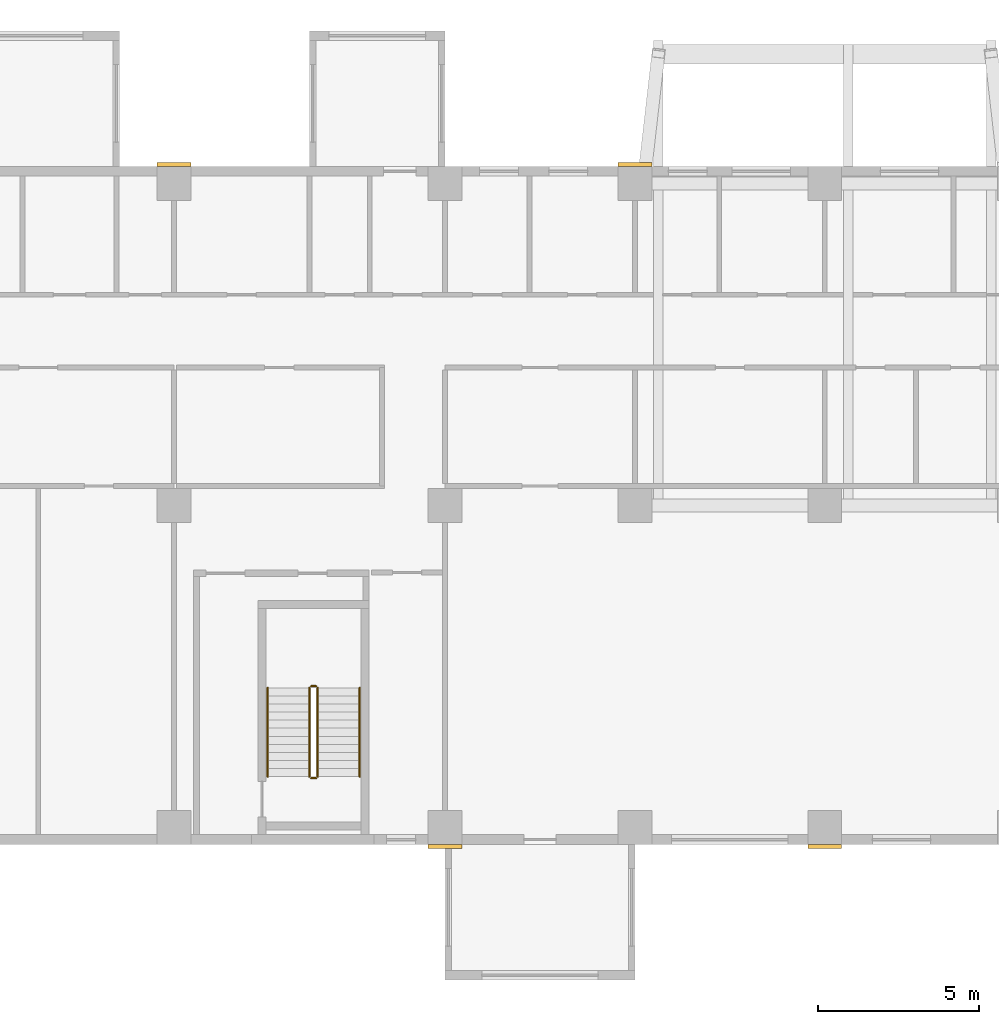
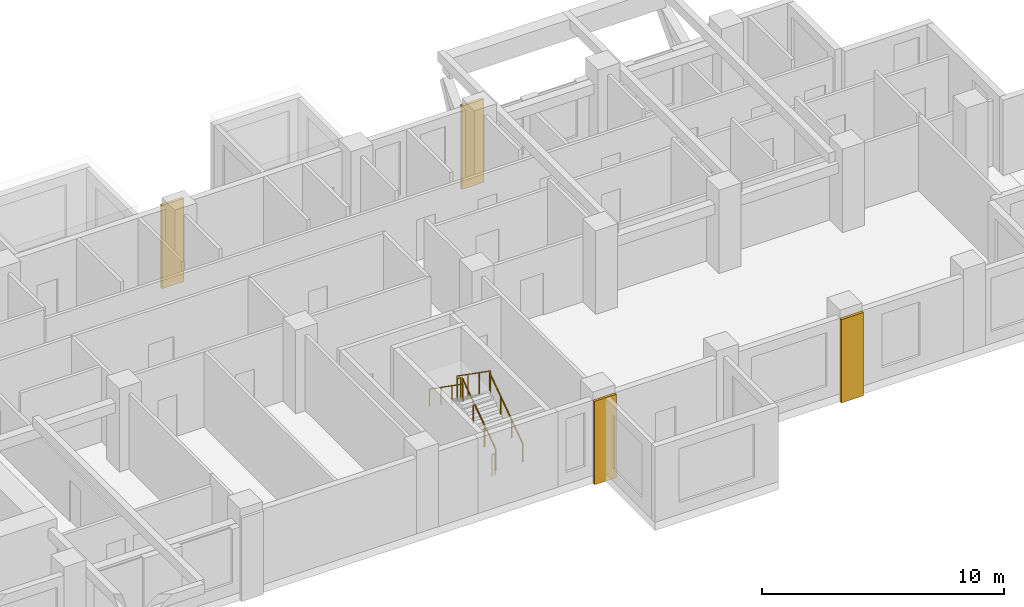
# One storey, part 13 of 15: 6 railings, 4 coverings.
"""IFC4 building model written with IfcOpenShell, lengths in metres."""

from ifc_helpers import new_model, si_unit, direction, frame, origin, origin_2d, place, context, subcontext, project, spatial, rectangle, circle, extrude, source, transform, mapped, material, type_object, element, save


model = new_model("IFC4")

# Units and contexts
model_context = context("Model", 3, precision=1e-05, world=origin(), true_north=direction((0.0, 1.0)))
body_context = subcontext(model_context, "Body", "Model", "MODEL_VIEW")
ifc_project = project(units=[si_unit("LENGTHUNIT", "METRE"), si_unit("AREAUNIT", "SQUARE_METRE"), si_unit("VOLUMEUNIT", "CUBIC_METRE"), si_unit("PLANEANGLEUNIT", "RADIAN"), si_unit("MASSUNIT", "GRAM", prefix="KILO")], contexts=[model_context])

# Site, building, storey
site_placement = place(None, origin())
site = spatial("IfcSite", under=ifc_project, at=site_placement, CompositionType="ELEMENT")
building_placement = place(site_placement, origin())
building = spatial("IfcBuilding", under=site, at=building_placement, Name="Aurelian Terraces", CompositionType="ELEMENT")
storey_placement = place(building_placement, frame((0.0, 0.0, 107.7)))
storey = spatial("IfcBuildingStorey", under=building, at=storey_placement, Name="L23", CompositionType="ELEMENT", Elevation=107.7)

# Coverings
ifc_material_1 = material(Name="Terracotta rainscreen cladding relief", Category="masonry")
covering_type = type_object("IfcCoveringType", Name="BAGUETTE-TC", PredefinedType="CLADDING", material=ifc_material_1)
shared_shape_1 = source(origin(), body_context, "Body", "SweptSolid", [
    extrude(rectangle(XDim=1.05, YDim=0.12, at=origin_2d()), origin(), (0.0, 0.0, 1.0), 4.2),
])
for number, where, z_axis, x_axis, name in (
    (1, (46.2, -0.06, -0.4), (0.0, 0.0, 1.0), (1.0, 0.0, 0.0), "BAGUETTE pier L23 3"),
    (2, (57.96, -0.06, -0.4), (0.0, 0.0, 1.0), (1.0, 0.0, 0.0), "BAGUETTE pier L23 4"),
    (3, (37.8, 21.06, -0.4), (0.0, 0.0, 1.0), (1.0, 0.0, 0.0), "BAGUETTE pier L23 7"),
    (4, (52.08, 21.06, -0.4), (0.0, 0.0, 1.0), (1.0, 0.0, 0.0), "BAGUETTE pier L23 8"),
):
    element("IfcCovering", number, at=place(storey_placement, frame(where, z_axis=z_axis, x_axis=x_axis)), inside=storey, type_object=covering_type, Name=name, PredefinedType="CLADDING", context=body_context, shape_type="MappedRepresentation", body=[
        mapped(shared_shape_1, transform((0.0, 0.0, 0.0), scale=1.0)),
    ])

# Railings
ifc_material_2 = material(Name="Stainless steel", Category="steel")
railing_type_1 = type_object("IfcRailingType", Name="Stair guard 1100", PredefinedType="GUARDRAIL", material=ifc_material_2)
shared_shape_2 = source(origin(), body_context, "Body", "SweptSolid", [
    extrude(circle(Radius=0.024, at=origin_2d()), frame((0.0, 0.0, 1.076), z_axis=(-1.0, 0.0, 0.0), x_axis=(0.0, -1.0, 0.0)), (0.0, 0.0, 1.0), 0.15),
    extrude(circle(Radius=0.021, at=origin_2d()), origin(), (0.0, 0.0, 1.0), 1.052),
    extrude(circle(Radius=0.021, at=origin_2d()), frame((-0.15, 0.0, 0.0)), (0.0, 0.0, 1.0), 1.052),
])
for number, where, name in (
    (5, (42.2, 4.9, 2.1), "L23 S2 stair guard 2"),
    (6, (42.2, 2.05, 0.0), "L23 S2 stair guard 4"),
):
    element("IfcRailing", number, at=place(storey_placement, frame(where)), inside=storey, type_object=railing_type_1, Name=name, PredefinedType="GUARDRAIL", context=body_context, shape_type="MappedRepresentation", body=[
        mapped(shared_shape_2, transform((0.0, 0.0, 0.0), scale=1.0)),
    ])
shared_shape_3 = source(origin(), body_context, "Body", "SweptSolid", [
    extrude(circle(Radius=0.024, at=origin_2d()), frame((0.0, 0.0, 1.076), z_axis=(0.0, 0.819231920519, 0.573462344363), x_axis=(-1.0, 0.0, 0.0)), (0.0, 0.0, 1.0), 3.3568),
    extrude(circle(Radius=0.021, at=origin_2d()), origin(), (0.0, 0.0, 1.0), 1.052),
    extrude(circle(Radius=0.021, at=origin_2d()), frame((0.0, 0.9167, 0.6417)), (0.0, 0.0, 1.0), 1.052),
    extrude(circle(Radius=0.021, at=origin_2d()), frame((0.0, 1.8333, 1.2833)), (0.0, 0.0, 1.0), 1.052),
    extrude(circle(Radius=0.021, at=origin_2d()), frame((0.0, 2.75, 1.925)), (0.0, 0.0, 1.0), 1.052),
])
railing_1_placement = place(storey_placement, frame((42.25, 2.1, 0.175)))
element("IfcRailing", 7, at=railing_1_placement, inside=storey, type_object=railing_type_1, Name="L23 S2 stair guard 1", PredefinedType="GUARDRAIL", context=body_context, shape_type="MappedRepresentation", body=[
    mapped(shared_shape_3, transform((0.0, 0.0, 0.0), scale=1.0)),
])
shared_shape_4 = source(origin(), body_context, "Body", "SweptSolid", [
    extrude(circle(Radius=0.024, at=origin_2d()), frame((0.0, 0.0, 1.076), z_axis=(0.0, -0.819231920519, 0.573462344363), x_axis=(1.0, 0.0, 0.0)), (0.0, 0.0, 1.0), 3.3568),
    extrude(circle(Radius=0.021, at=origin_2d()), origin(), (0.0, 0.0, 1.0), 1.052),
    extrude(circle(Radius=0.021, at=origin_2d()), frame((0.0, -0.9167, 0.6417)), (0.0, 0.0, 1.0), 1.052),
    extrude(circle(Radius=0.021, at=origin_2d()), frame((0.0, -1.8333, 1.2833)), (0.0, 0.0, 1.0), 1.052),
    extrude(circle(Radius=0.021, at=origin_2d()), frame((0.0, -2.75, 1.925)), (0.0, 0.0, 1.0), 1.052),
])
railing_2_placement = place(storey_placement, frame((42.0, 4.85, 2.275)))
element("IfcRailing", 8, at=railing_2_placement, inside=storey, type_object=railing_type_1, Name="L23 S2 stair guard 3", PredefinedType="GUARDRAIL", context=body_context, shape_type="MappedRepresentation", body=[
    mapped(shared_shape_4, transform((0.0, 0.0, 0.0), scale=1.0)),
])
railing_type_2 = type_object("IfcRailingType", Name="Stair handrail", PredefinedType="HANDRAIL", material=ifc_material_2)
shared_shape_5 = source(origin(), body_context, "Body", "SweptSolid", [
    extrude(circle(Radius=0.024, at=origin_2d()), frame((0.0, 0.0, 0.876), z_axis=(0.0, 0.819231920519, 0.573462344363), x_axis=(-1.0, 0.0, 0.0)), (0.0, 0.0, 1.0), 3.3568),
    extrude(circle(Radius=0.021, at=origin_2d()), origin(), (0.0, 0.0, 1.0), 0.852),
    extrude(circle(Radius=0.021, at=origin_2d()), frame((0.0, 0.9167, 0.6417)), (0.0, 0.0, 1.0), 0.852),
    extrude(circle(Radius=0.021, at=origin_2d()), frame((0.0, 1.8333, 1.2833)), (0.0, 0.0, 1.0), 0.852),
    extrude(circle(Radius=0.021, at=origin_2d()), frame((0.0, 2.75, 1.925)), (0.0, 0.0, 1.0), 0.852),
])
railing_3_placement = place(storey_placement, frame((43.55, 2.1, 0.175)))
element("IfcRailing", 9, at=railing_3_placement, inside=storey, type_object=railing_type_2, Name="L23 S2 stair handrail 1", PredefinedType="HANDRAIL", context=body_context, shape_type="MappedRepresentation", body=[
    mapped(shared_shape_5, transform((0.0, 0.0, 0.0), scale=1.0)),
])
shared_shape_6 = source(origin(), body_context, "Body", "SweptSolid", [
    extrude(circle(Radius=0.024, at=origin_2d()), frame((0.0, 0.0, 0.876), z_axis=(0.0, -0.819231920519, 0.573462344363), x_axis=(1.0, 0.0, 0.0)), (0.0, 0.0, 1.0), 3.3568),
    extrude(circle(Radius=0.021, at=origin_2d()), origin(), (0.0, 0.0, 1.0), 0.852),
    extrude(circle(Radius=0.021, at=origin_2d()), frame((0.0, -0.9167, 0.6417)), (0.0, 0.0, 1.0), 0.852),
    extrude(circle(Radius=0.021, at=origin_2d()), frame((0.0, -1.8333, 1.2833)), (0.0, 0.0, 1.0), 0.852),
    extrude(circle(Radius=0.021, at=origin_2d()), frame((0.0, -2.75, 1.925)), (0.0, 0.0, 1.0), 0.852),
])
railing_4_placement = place(storey_placement, frame((40.7, 4.85, 2.275)))
element("IfcRailing", 10, at=railing_4_placement, inside=storey, type_object=railing_type_2, Name="L23 S2 stair handrail 2", PredefinedType="HANDRAIL", context=body_context, shape_type="MappedRepresentation", body=[
    mapped(shared_shape_6, transform((0.0, 0.0, 0.0), scale=1.0)),
])

save(model, "model.ifc")
